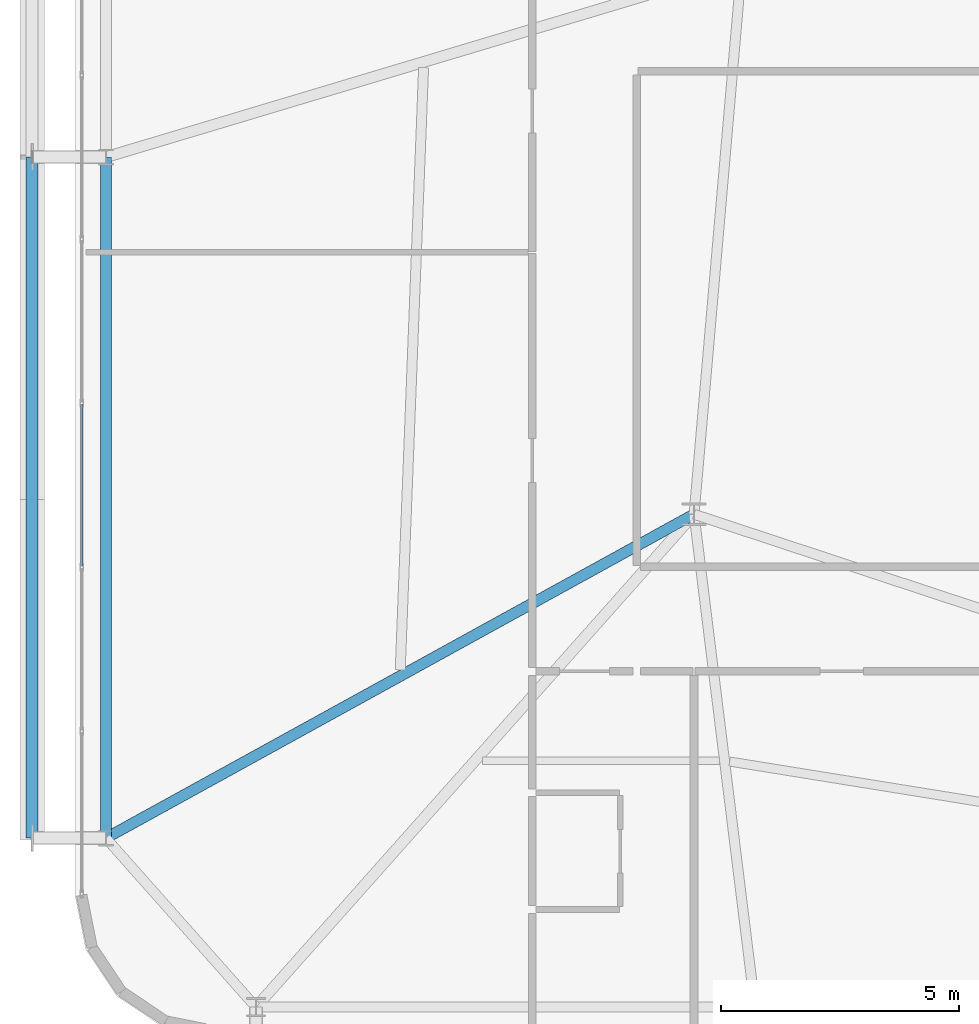
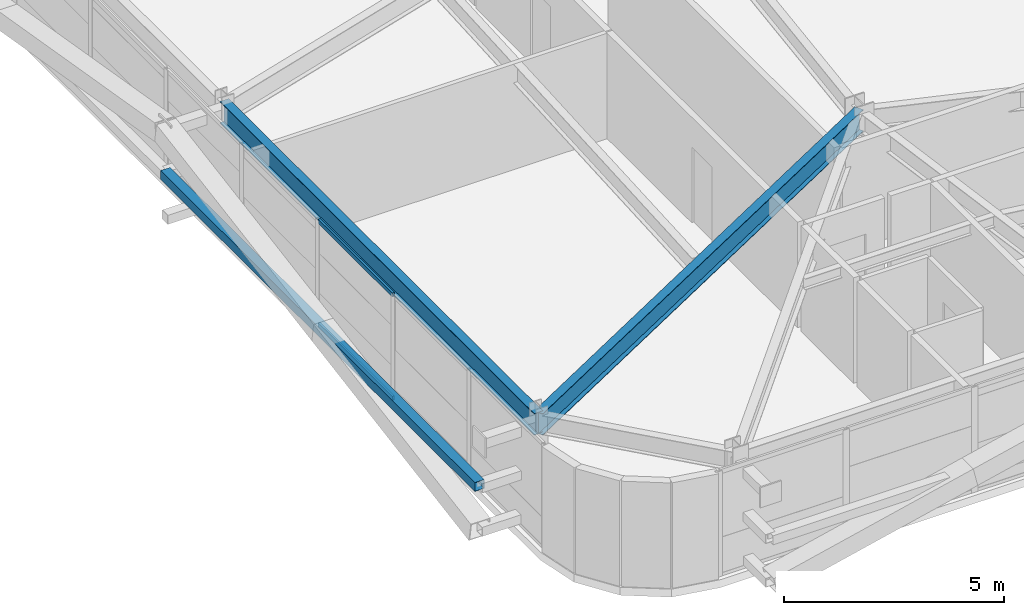
# One storey, part 9 of 58: 3 members, 2 beams, 1 element without a shape of its own.
"""IFC4 building model written with IfcOpenShell, lengths in metres."""

import ifcopenshell
import ifcopenshell.guid

model = None  # the IFC model being written
_history = None  # IfcOwnerHistory: only IFC2X3 demands one
_inside = {}  # id of a spatial element -> (the spatial element, [elements in it])
_under = {}  # id of a project, library or spatial element -> (it, [spatial elements below it])
_declared = {}  # id of a project -> (the project, [libraries it declares])
_typed = {}  # id of a type object -> (the type object, [elements of that type])
_made_of = {}  # id of a material, layer set ... -> (it, [elements and type objects made of it])


def new_model(schema):
    """Start an empty IFC model of exactly this schema.

    Asked for "IFC4X3", IfcOpenShell would pick the latest addendum, in which some entities
    have other attributes; the version numbers below select the first issue.
    IFC2X3 requires an IfcOwnerHistory on every rooted entity: one is made here for all.
    """
    global model, _history
    if schema == "IFC4X3":
        model = ifcopenshell.file(schema_version=(4, 3, 0, 0))
    else:
        model = ifcopenshell.file(schema=schema)
    _inside.clear()
    _under.clear()
    _declared.clear()
    _typed.clear()
    _made_of.clear()
    _history = None
    if model.schema == "IFC2X3":
        org = make("IfcOrganization", Name="unknown")
        user = make(
            "IfcPersonAndOrganization",
            ThePerson=make("IfcPerson", FamilyName="unknown"),
            TheOrganization=org,
        )
        app = make(
            "IfcApplication",
            ApplicationDeveloper=org,
            Version="unknown",
            ApplicationFullName="unknown",
            ApplicationIdentifier="unknown",
        )
        _history = make(
            "IfcOwnerHistory",
            OwningUser=user,
            OwningApplication=app,
            ChangeAction="ADDED",
            CreationDate=0,
        )
    return model


def make(cls, **values):
    """One entity of the class cls with the attributes given. An attribute that is None is left unset."""
    return model.create_entity(
        cls, **{name: value for name, value in values.items() if value is not None}
    )


def rooted(cls, **values):
    """An entity with a GlobalId (a new one), such as an element, a storey or a relation."""
    return make(cls, GlobalId=ifcopenshell.guid.new(), OwnerHistory=_history, **values)


def si_unit(unit_type, name, prefix=None):
    """IfcSIUnit, for example si_unit("LENGTHUNIT", "METRE", prefix="MILLI")."""
    return make("IfcSIUnit", UnitType=unit_type, Prefix=prefix, Name=name)


def assignment(units):
    """IfcUnitAssignment: the units of a project."""
    return None if units is None else make("IfcUnitAssignment", Units=units)


def point(xyz):
    """IfcCartesianPoint."""
    return None if xyz is None else make("IfcCartesianPoint", Coordinates=xyz)


def direction(xyz):
    """IfcDirection."""
    return None if xyz is None else make("IfcDirection", DirectionRatios=xyz)


def frame(location, z_axis=None, x_axis=None):
    """IfcAxis2Placement3D, a coordinate frame: its origin and axes. An axis left out is left unset."""
    return make(
        "IfcAxis2Placement3D",
        Location=point(location),
        Axis=direction(z_axis),
        RefDirection=direction(x_axis),
    )


def frame_2d(location, x_axis=None):
    """IfcAxis2Placement2D, a coordinate frame in the plane: its origin and x axis."""
    return make(
        "IfcAxis2Placement2D", Location=point(location), RefDirection=direction(x_axis)
    )


def origin():
    """The frame at (0, 0, 0) with its axes left unset."""
    return frame((0.0, 0.0, 0.0))


def origin_2d():
    """The frame at (0, 0) in the plane with its x axis left unset."""
    return frame_2d((0.0, 0.0))


def place(relative_to, where):
    """IfcLocalPlacement: puts the frame where relative to a parent placement (None: the world)."""
    return make(
        "IfcLocalPlacement", PlacementRelTo=relative_to, RelativePlacement=where
    )


def context(
    kind, dimensions, precision=None, world=None, true_north=None, identifier=None
):
    """IfcGeometricRepresentationContext, for example the 3D "Model" context."""
    return make(
        "IfcGeometricRepresentationContext",
        ContextIdentifier=identifier,
        ContextType=kind,
        CoordinateSpaceDimension=dimensions,
        Precision=precision,
        WorldCoordinateSystem=world,
        TrueNorth=true_north,
    )


def subcontext(parent, identifier, kind, view, scale=None):
    """IfcGeometricRepresentationSubContext, for example "Body" below "Model"."""
    return make(
        "IfcGeometricRepresentationSubContext",
        ContextIdentifier=identifier,
        ContextType=kind,
        ParentContext=parent,
        TargetScale=scale,
        TargetView=view,
    )


def project(units=None, contexts=None):
    """IfcProject with its units and contexts."""
    return rooted(
        "IfcProject",
        Name="project",
        RepresentationContexts=contexts,
        UnitsInContext=assignment(units),
    )


def spatial(cls, under=None, at=None, **own):
    """A site, building, storey or space (cls), placed at a placement, below another one or the project."""
    s = rooted(cls, ObjectPlacement=at, **own)
    if under is not None:
        _under.setdefault(under.id(), (under, []))[1].append(s)
    return s


def profile(cls, at=None, kind="AREA", **sizes):
    """A parametric profile (cls). Its sizes go by their IFC names, for example OverallWidth=200.0."""
    return make(cls, ProfileType=kind, Position=at, **sizes)


def hollow_rectangle(**sizes):
    """IfcRectangleHollowProfileDef."""
    return profile("IfcRectangleHollowProfileDef", **sizes)


def i_section(**sizes):
    """IfcIShapeProfileDef."""
    return profile("IfcIShapeProfileDef", **sizes)


def extrude(swept, where, along, depth):
    """IfcExtrudedAreaSolid: the profile swept, set in the frame where, extruded along a direction by depth."""
    return make(
        "IfcExtrudedAreaSolid",
        SweptArea=swept,
        Position=where,
        ExtrudedDirection=direction(along),
        Depth=depth,
    )


def shape(context_of_items, identifier, shape_type, items):
    """IfcShapeRepresentation: the items that make up one representation, for example the "Body"."""
    return make(
        "IfcShapeRepresentation",
        ContextOfItems=context_of_items,
        RepresentationIdentifier=identifier,
        RepresentationType=shape_type,
        Items=items,
    )


def source(mapping_origin, context_of_items, identifier, shape_type, items):
    """IfcRepresentationMap: a shape defined once, which mapped items show again and again."""
    return make(
        "IfcRepresentationMap",
        MappingOrigin=mapping_origin,
        MappedRepresentation=shape(context_of_items, identifier, shape_type, items),
    )


def transform(
    local_origin,
    x_axis=None,
    y_axis=None,
    z_axis=None,
    scale=None,
    scale2=None,
    scale3=None,
    uniform=True,
):
    """IfcCartesianTransformationOperator3D, or its non-uniform kind. x_axis, y_axis, z_axis: its Axis1, 2, 3."""
    if uniform:
        return make(
            "IfcCartesianTransformationOperator3D",
            Axis1=direction(x_axis),
            Axis2=direction(y_axis),
            LocalOrigin=point(local_origin),
            Scale=scale,
            Axis3=direction(z_axis),
        )
    return make(
        "IfcCartesianTransformationOperator3DnonUniform",
        Axis1=direction(x_axis),
        Axis2=direction(y_axis),
        LocalOrigin=point(local_origin),
        Scale=scale,
        Axis3=direction(z_axis),
        Scale2=scale2,
        Scale3=scale3,
    )


def mapped(mapping_source, mapping_target):
    """IfcMappedItem: shows the shape of a source again, moved by a transform."""
    return make(
        "IfcMappedItem", MappingSource=mapping_source, MappingTarget=mapping_target
    )


def material(Name=None, Category=None):
    """IfcMaterial."""
    return make("IfcMaterial", Name=Name, Category=Category)


def layer(
    of_material, thickness, ventilated=None, Name=None, Category=None, Priority=None
):
    """IfcMaterialLayer: one layer of a wall or slab, of a material (None: an air gap)."""
    return make(
        "IfcMaterialLayer",
        Material=of_material,
        LayerThickness=thickness,
        IsVentilated=ventilated,
        Name=Name,
        Category=Category,
        Priority=Priority,
    )


def layer_set(layers, Name=None):
    """IfcMaterialLayerSet."""
    return make("IfcMaterialLayerSet", MaterialLayers=layers, LayerSetName=Name)


def material_profile(
    of_material, cross_section, Name=None, Category=None, Priority=None
):
    """IfcMaterialProfile: a cross section and its material."""
    return make(
        "IfcMaterialProfile",
        Name=Name,
        Material=of_material,
        Profile=cross_section,
        Priority=Priority,
        Category=Category,
    )


def profile_set(profiles, Name=None, composite=None):
    """IfcMaterialProfileSet."""
    return make(
        "IfcMaterialProfileSet",
        Name=Name,
        MaterialProfiles=profiles,
        CompositeProfile=composite,
    )


def made_of(thing, what):
    """Note that an element or type object is made of a material, layer set ...; save() writes the relation."""
    if what is not None:
        _made_of.setdefault(what.id(), (what, []))[1].append(thing)
    return thing


def type_object(cls, material=None, **own):
    """A type object (cls), such as IfcWallType, which elements share."""
    return made_of(rooted(cls, **own), material)


def element(
    cls,
    number,
    at=None,
    inside=None,
    cuts=None,
    type_object=None,
    material=None,
    context=None,
    identifier="Body",
    shape_type=None,
    held_by="IfcProductDefinitionShape",
    body=None,
    shapes=None,
    **own,
):
    """One element of the class cls, such as IfcWall. Its Tag is "e" and its number.

    at: its placement. inside: the storey or other place that contains it. cuts: it is an
    opening in that element (IfcRelVoidsElement). A single representation is given by context,
    identifier, shape_type and body (its items); several are given by shapes. held_by: the class
    of the entity that holds the representations. save() writes the other relations.
    """
    e = rooted(cls, Tag="e%d" % number, ObjectPlacement=at, **own)
    if body is not None:
        shapes = [shape(context, identifier, shape_type, body)]
    if shapes is not None:
        e.Representation = make(held_by, Representations=shapes)
    if inside is not None:
        _inside.setdefault(inside.id(), (inside, []))[1].append(e)
    if cuts is not None:
        rooted(
            "IfcRelVoidsElement", RelatingBuildingElement=cuts, RelatedOpeningElement=e
        )
    if type_object is not None:
        _typed.setdefault(type_object.id(), (type_object, []))[1].append(e)
    return made_of(e, material)


def aggregate(whole, parts):
    """IfcRelAggregates: a whole, such as a stair, and the parts it consists of."""
    return rooted("IfcRelAggregates", RelatingObject=whole, RelatedObjects=parts)


def save(model, path):
    """Write the relations noted so far, then the file.

    IfcRelAggregates (storeys below a building ...), IfcRelContainedInSpatialStructure (elements
    in a storey), IfcRelDefinesByType, IfcRelAssociatesMaterial and IfcRelDeclares: one each for
    every whole, place, type object, material and project.
    """
    for whole, parts in _under.values():
        aggregate(whole, parts)
    for where, things in _inside.values():
        rooted(
            "IfcRelContainedInSpatialStructure",
            RelatedElements=things,
            RelatingStructure=where,
        )
    for kind, things in _typed.values():
        rooted("IfcRelDefinesByType", RelatedObjects=things, RelatingType=kind)
    for what, things in _made_of.values():
        rooted("IfcRelAssociatesMaterial", RelatedObjects=things, RelatingMaterial=what)
    for by, libraries in _declared.values():
        rooted("IfcRelDeclares", RelatingContext=by, RelatedDefinitions=libraries)
    model.write(path)


model = new_model("IFC4")

# Units and contexts
model_context = context("Model", 3, precision=1e-05, world=origin(), true_north=direction((0.0, 1.0)))
body_context = subcontext(model_context, "Body", "Model", "MODEL_VIEW")
ifc_project = project(units=[si_unit("LENGTHUNIT", "METRE"), si_unit("AREAUNIT", "SQUARE_METRE"), si_unit("VOLUMEUNIT", "CUBIC_METRE"), si_unit("PLANEANGLEUNIT", "RADIAN"), si_unit("MASSUNIT", "GRAM", prefix="KILO")], contexts=[model_context])

# Site, building, storey
site_placement = place(None, origin())
site = spatial("IfcSite", under=ifc_project, at=site_placement, CompositionType="ELEMENT")
building_placement = place(site_placement, origin())
building = spatial("IfcBuilding", under=site, at=building_placement, Name="Taldren Reach Tower", CompositionType="ELEMENT")
storey_placement = place(building_placement, frame((0.0, 0.0, 54.60009765625)))
storey = spatial("IfcBuildingStorey", under=building, at=storey_placement, Name="L16", CompositionType="ELEMENT", Elevation=54.60009765625)

# Beams
ifc_material_1 = material(Name="Steel Gr 350 (350PLUS)", Category="steel")
ifc_material_profile_1 = material_profile(ifc_material_1, i_section(OverallWidth=0.22802734375, OverallDepth=0.60205078125, WebThickness=0.010498046875, FlangeThickness=0.014892578125, at=origin_2d()), Name="610UB101")
ifc_profile_set_1 = profile_set([ifc_material_profile_1], Name="Steel Gr 350 (350PLUS)")
beam_type = type_object("IfcBeamType", Name="BM-UB610B", PredefinedType="BEAM", material=ifc_profile_set_1)
shared_shape_1 = source(origin(), body_context, "Body", "SweptSolid", [
    extrude(i_section(OverallWidth=0.22802734375, OverallDepth=0.60205078125, WebThickness=0.010498046875, FlangeThickness=0.014892578125, at=origin_2d()), origin(), (0.0, 0.0, 1.0), 14.300048828125),
])
beam_1_placement = place(storey_placement, frame((5.64990234375, 20.0, 2.62890625), z_axis=(0.0, -1.0, 0.0), x_axis=(1.0, 0.0, 0.0)))
element("IfcBeam", 1, at=beam_1_placement, inside=storey, type_object=beam_type, Name="Perimeter gable girder B1 W2-W1 L16", PredefinedType="BEAM", context=body_context, shape_type="MappedRepresentation", body=[
    mapped(shared_shape_1, transform((0.0, 0.0, 0.0), scale=1.0)),
])
shared_shape_2 = source(origin(), body_context, "Body", "SweptSolid", [
    extrude(i_section(OverallWidth=0.22802734375, OverallDepth=0.60205078125, WebThickness=0.010498046875, FlangeThickness=0.014892578125, at=origin_2d()), origin(), (0.0, 0.0, 1.0), 14.098388671875),
])
beam_2_placement = place(storey_placement, frame((18.0, 12.5, 2.62890625), z_axis=(-0.875991325783, -0.482326857175, 0.0), x_axis=(0.482326857175, -0.875991325783, 0.0)))
element("IfcBeam", 2, at=beam_2_placement, inside=storey, type_object=beam_type, Name="Primary floor girder B1-W1 L16", PredefinedType="BEAM", context=body_context, shape_type="MappedRepresentation", body=[
    mapped(shared_shape_2, transform((0.0, 0.0, 0.0), scale=1.0)),
])

# Member
ifc_material_2 = material(Name="Steel Gr 350 (C350L0)", Category="steel")
ifc_material_profile_2 = material_profile(ifc_material_2, hollow_rectangle(XDim=0.25, YDim=0.25, WallThickness=0.010009765625, at=origin_2d()), Name="250x250x10.0SHS")
ifc_profile_set_2 = profile_set([ifc_material_profile_2], Name="Steel Gr 350 (C350L0)")
member_type_1 = type_object("IfcMemberType", Name="MB-POST250", PredefinedType="POST", material=ifc_profile_set_2)
shared_shape_3 = source(origin(), body_context, "Body", "SweptSolid", [
    extrude(hollow_rectangle(XDim=0.25, YDim=0.25, WallThickness=0.010009765625, at=origin_2d()), origin(), (0.0, 0.0, 1.0), 14.300048828125),
])
member_1_placement = place(storey_placement, frame((4.10009765625, 5.699951171875, 1.434814453125), z_axis=(0.0, 1.0, 0.0), x_axis=(-1.0, 0.0, 0.0)))
element("IfcMember", 3, at=member_1_placement, inside=storey, type_object=member_type_1, Name="Exoskeleton mid-height ring chord B1-W1 L16", PredefinedType="POST", context=body_context, shape_type="MappedRepresentation", body=[
    mapped(shared_shape_3, transform((0.0, 0.0, 0.0), scale=1.0)),
])

# Curtain wall, members
ifc_material_3 = material(Name="Aluminium and Low-E Glass Unitised System", Category="aluminium")
ifc_layer = layer(ifc_material_3, 0.159912109375)
ifc_layer_set = layer_set([ifc_layer], Name="Aluminium and Low-E Glass Unitised System")
curtain_wall_type = type_object("IfcCurtainWallType", Name="CW-SYS-2", PredefinedType="NOTDEFINED", material=ifc_layer_set)
curtain_wall_placement = place(storey_placement, origin())
curtain_wall = element("IfcCurtainWall", 4, at=curtain_wall_placement, inside=storey, type_object=curtain_wall_type, Name="Unitised curtain wall CW-L16-W", PredefinedType="NOTDEFINED")
ifc_material_4 = material(Name="Anodised Aluminium 6063-T6", Category="aluminium")
ifc_material_profile_3 = material_profile(ifc_material_4, hollow_rectangle(XDim=0.054931640625, YDim=0.1201171875, WallThickness=0.0029296875, at=origin_2d()), Name="ALU-120x55x3RHS")
ifc_profile_set_3 = profile_set([ifc_material_profile_3], Name="Anodised Aluminium 6063-T6")
member_type_2 = type_object("IfcMemberType", Name="CW-TRN-135", PredefinedType="USERDEFINED", material=ifc_profile_set_3)
shared_shape_4 = source(origin(), body_context, "Body", "SweptSolid", [
    extrude(hollow_rectangle(XDim=0.054931640625, YDim=0.1201171875, WallThickness=0.0029296875, at=origin_2d()), origin(), (0.0, 0.0, 1.0), 3.37939453125),
])
member_2_placement = place(storey_placement, frame((5.139892578125, 14.80078125, 0.02734375), z_axis=(0.0, -1.0, 0.0), x_axis=(1.0, 0.0, 0.0)))
member_2 = element("IfcMember", 5, at=member_2_placement, type_object=member_type_2, Name="CW-2 transom 7.1", ObjectType="TRANSOM", PredefinedType="USERDEFINED", context=body_context, shape_type="MappedRepresentation", body=[
    mapped(shared_shape_4, transform((0.0, 0.0, 0.0), scale=1.0)),
])
member_3_placement = place(storey_placement, frame((5.139892578125, 14.80078125, 2.90234375), z_axis=(0.0, -1.0, 0.0), x_axis=(1.0, 0.0, 0.0)))
member_3 = element("IfcMember", 6, at=member_3_placement, type_object=member_type_2, Name="CW-2 transom 7.2", ObjectType="TRANSOM", PredefinedType="USERDEFINED", context=body_context, shape_type="MappedRepresentation", body=[
    mapped(shared_shape_4, transform((0.0, 0.0, 0.0), scale=1.0)),
])
aggregate(curtain_wall, [member_2, member_3])

save(model, "model.ifc")
